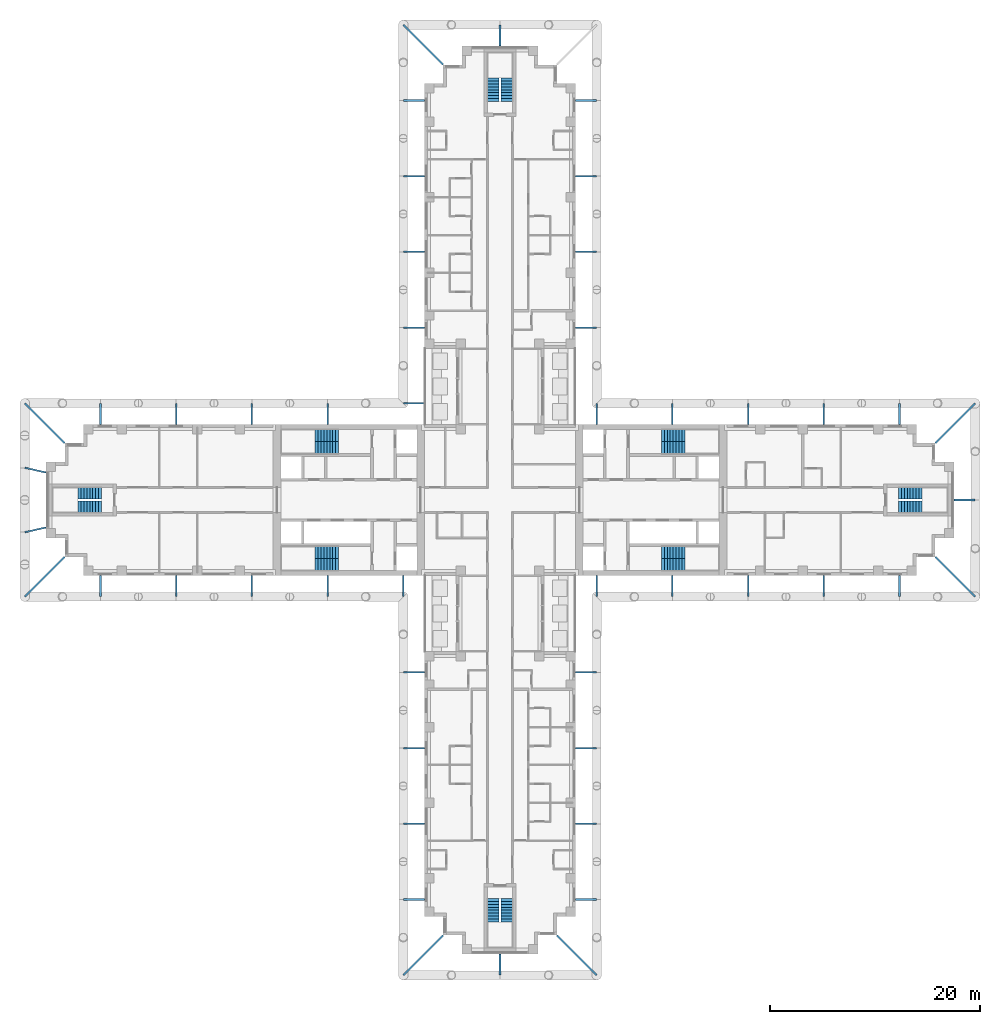
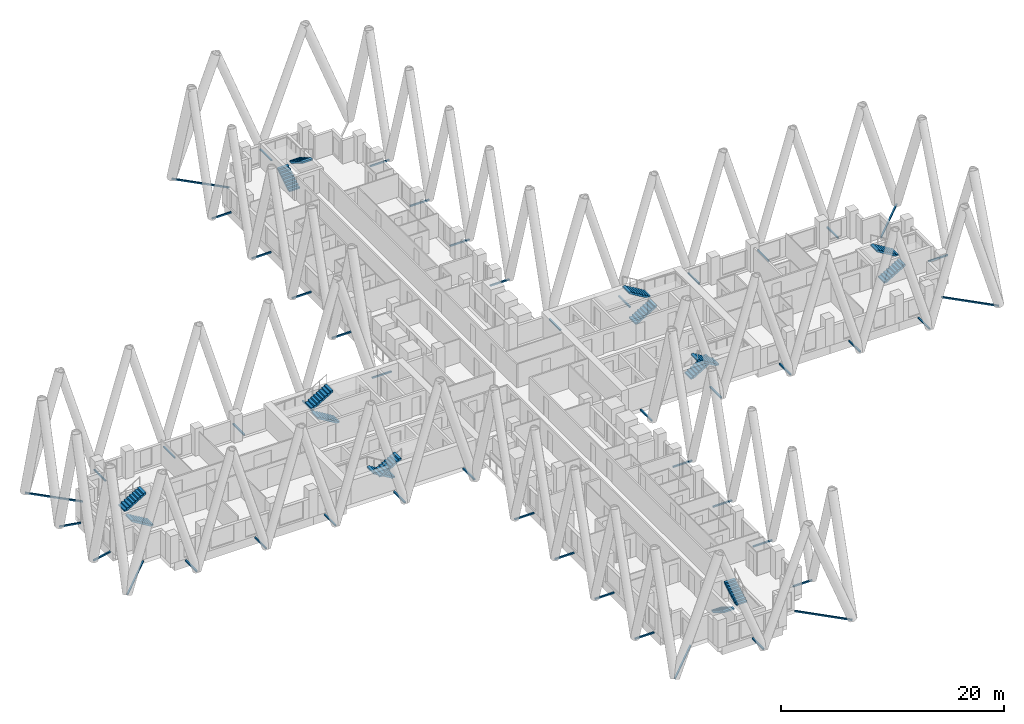
# One storey, part 14 of 17: 48 discrete accessories, 16 stair flights, 8 elements without a shape of their own.
"""IFC4 building model written with IfcOpenShell, lengths in metres."""

from ifc_helpers import new_model, si_unit, direction, frame, origin, origin_2d, place, context, subcontext, project, spatial, polyline, hollow_rectangle, outline, extrude, material, type_object, element, aggregate, save


model = new_model("IFC4")

# Units and contexts
model_context = context("Model", 3, precision=1e-05, world=origin(), true_north=direction((0.0, 1.0)))
body_context = subcontext(model_context, "Body", "Model", "MODEL_VIEW")
ifc_project = project(units=[si_unit("LENGTHUNIT", "METRE"), si_unit("AREAUNIT", "SQUARE_METRE"), si_unit("VOLUMEUNIT", "CUBIC_METRE"), si_unit("PLANEANGLEUNIT", "RADIAN"), si_unit("MASSUNIT", "GRAM", prefix="KILO")], contexts=[model_context])

# Site, building, storey
site_placement = place(None, origin())
site = spatial("IfcSite", under=ifc_project, at=site_placement, CompositionType="ELEMENT")
building_placement = place(site_placement, origin())
building = spatial("IfcBuilding", under=site, at=building_placement, Name="Fustian Cross Tower", CompositionType="ELEMENT")
storey_placement = place(building_placement, frame((0.0, 0.0, 32.699951171875)))
storey = spatial("IfcBuildingStorey", under=building, at=storey_placement, Name="L09", CompositionType="ELEMENT", Elevation=32.699951171875)

# Stair, stair flights
ifc_material_1 = material(Name="Concrete C50/60", Category="concrete")
stair_type_1 = type_object("IfcStairType", Name="STAIR 1100 HALF TURN", PredefinedType="HALF_TURN_STAIR", material=ifc_material_1)
stair_1_placement = place(storey_placement, origin())
stair_1 = element("IfcStair", 1, at=stair_1_placement, inside=storey, type_object=stair_type_1, Name="Stair ST5", PredefinedType="HALF_TURN_STAIR")
ifc_material_2 = material(Name="Concrete C50/60", Category="concrete")
stair_flight_type_1 = type_object("IfcStairFlightType", Name="STAIR FLIGHT 1100", PredefinedType="STRAIGHT", material=ifc_material_2)
stair_flight_1_placement = place(storey_placement, frame((-0.64990234375, 37.89990234375, 0.0), z_axis=(0.0, 0.0, 1.0), x_axis=(0.0, 1.0, 0.0)))
stair_flight_1 = element("IfcStairFlight", 2, at=stair_flight_1_placement, type_object=stair_flight_type_1, Name="ST5 flight 1", NumberOfRisers=9, NumberOfTreads=8, PredefinedType="STRAIGHT", RiserHeight=0.166666667, TreadLength=0.28, context=body_context, shape_type="SweptSolid", body=[
    extrude(outline(polyline([(0.0, 0.0), (0.0, 0.166748046875), (0.280029296875, 0.166748046875), (0.280029296875, 0.333251953125), (0.56005859375, 0.333251953125), (0.56005859375, 0.5), (0.840087890625, 0.5), (0.840087890625, 0.666748046875), (1.1201171875, 0.666748046875), (1.1201171875, 0.833251953125), (1.39990234375, 0.833251953125), (1.39990234375, 1.0), (1.679931640625, 1.0), (1.679931640625, 1.166748046875), (1.9599609375, 1.166748046875), (1.9599609375, 1.333251953125), (2.239990234375, 1.333251953125), (2.239990234375, 1.5), (2.239990234375, 1.158935546875), (0.29296875, 0.0), (0.0, 0.0)])), frame((0.0, 0.550048828125, 0.0), z_axis=(0.0, -1.0, 0.0), x_axis=(1.0, 0.0, 0.0)), (0.0, 0.0, 1.0), 1.10009765625),
])
stair_flight_2_placement = place(storey_placement, frame((0.64990234375, 40.139892578125, 1.5), z_axis=(0.0, 0.0, 1.0), x_axis=(0.0, -1.0, 0.0)))
stair_flight_2 = element("IfcStairFlight", 3, at=stair_flight_2_placement, type_object=stair_flight_type_1, Name="ST5 flight 2", NumberOfRisers=9, NumberOfTreads=8, PredefinedType="STRAIGHT", RiserHeight=0.166666667, TreadLength=0.28, context=body_context, shape_type="SweptSolid", body=[
    extrude(outline(polyline([(0.0, 0.0), (0.0, 0.166748046875), (0.280029296875, 0.166748046875), (0.280029296875, 0.333251953125), (0.56005859375, 0.333251953125), (0.56005859375, 0.5), (0.840087890625, 0.5), (0.840087890625, 0.666748046875), (1.1201171875, 0.666748046875), (1.1201171875, 0.833251953125), (1.39990234375, 0.833251953125), (1.39990234375, 1.0), (1.679931640625, 1.0), (1.679931640625, 1.166748046875), (1.9599609375, 1.166748046875), (1.9599609375, 1.333251953125), (2.239990234375, 1.333251953125), (2.239990234375, 1.5), (2.239990234375, 1.158935546875), (0.29296875, 0.0), (0.0, 0.0)])), frame((0.0, 0.550048828125, 0.0), z_axis=(0.0, -1.0, 0.0), x_axis=(1.0, 0.0, 0.0)), (0.0, 0.0, 1.0), 1.10009765625),
])
aggregate(stair_1, [stair_flight_1, stair_flight_2])

stair_2_placement = place(storey_placement, origin())
stair_2 = element("IfcStair", 4, at=stair_2_placement, inside=storey, type_object=stair_type_1, Name="Stair ST6", PredefinedType="HALF_TURN_STAIR")
stair_flight_3_placement = place(storey_placement, frame((-0.64990234375, -37.89990234375, 0.0), z_axis=(0.0, 0.0, 1.0), x_axis=(0.0, -1.0, 0.0)))
stair_flight_3 = element("IfcStairFlight", 5, at=stair_flight_3_placement, type_object=stair_flight_type_1, Name="ST6 flight 1", NumberOfRisers=9, NumberOfTreads=8, PredefinedType="STRAIGHT", RiserHeight=0.166666667, TreadLength=0.28, context=body_context, shape_type="SweptSolid", body=[
    extrude(outline(polyline([(0.0, 0.0), (0.0, 0.166748046875), (0.280029296875, 0.166748046875), (0.280029296875, 0.333251953125), (0.56005859375, 0.333251953125), (0.56005859375, 0.5), (0.840087890625, 0.5), (0.840087890625, 0.666748046875), (1.1201171875, 0.666748046875), (1.1201171875, 0.833251953125), (1.39990234375, 0.833251953125), (1.39990234375, 1.0), (1.679931640625, 1.0), (1.679931640625, 1.166748046875), (1.9599609375, 1.166748046875), (1.9599609375, 1.333251953125), (2.239990234375, 1.333251953125), (2.239990234375, 1.5), (2.239990234375, 1.158935546875), (0.29296875, 0.0), (0.0, 0.0)])), frame((0.0, 0.550048828125, 0.0), z_axis=(0.0, -1.0, 0.0), x_axis=(1.0, 0.0, 0.0)), (0.0, 0.0, 1.0), 1.10009765625),
])
stair_flight_4_placement = place(storey_placement, frame((0.64990234375, -40.139892578125, 1.5), z_axis=(0.0, 0.0, 1.0), x_axis=(0.0, 1.0, 0.0)))
stair_flight_4 = element("IfcStairFlight", 6, at=stair_flight_4_placement, type_object=stair_flight_type_1, Name="ST6 flight 2", NumberOfRisers=9, NumberOfTreads=8, PredefinedType="STRAIGHT", RiserHeight=0.166666667, TreadLength=0.28, context=body_context, shape_type="SweptSolid", body=[
    extrude(outline(polyline([(0.0, 0.0), (0.0, 0.166748046875), (0.280029296875, 0.166748046875), (0.280029296875, 0.333251953125), (0.56005859375, 0.333251953125), (0.56005859375, 0.5), (0.840087890625, 0.5), (0.840087890625, 0.666748046875), (1.1201171875, 0.666748046875), (1.1201171875, 0.833251953125), (1.39990234375, 0.833251953125), (1.39990234375, 1.0), (1.679931640625, 1.0), (1.679931640625, 1.166748046875), (1.9599609375, 1.166748046875), (1.9599609375, 1.333251953125), (2.239990234375, 1.333251953125), (2.239990234375, 1.5), (2.239990234375, 1.158935546875), (0.29296875, 0.0), (0.0, 0.0)])), frame((0.0, 0.550048828125, 0.0), z_axis=(0.0, -1.0, 0.0), x_axis=(1.0, 0.0, 0.0)), (0.0, 0.0, 1.0), 1.10009765625),
])
aggregate(stair_2, [stair_flight_3, stair_flight_4])

stair_3_placement = place(storey_placement, origin())
stair_3 = element("IfcStair", 7, at=stair_3_placement, inside=storey, type_object=stair_type_1, Name="Stair ST8", PredefinedType="HALF_TURN_STAIR")
stair_flight_5_placement = place(storey_placement, frame((37.89990234375, -0.64990234375, 0.0), z_axis=(0.0, 0.0, 1.0), x_axis=(1.0, 0.0, 0.0)))
stair_flight_5 = element("IfcStairFlight", 8, at=stair_flight_5_placement, type_object=stair_flight_type_1, Name="ST8 flight 1", NumberOfRisers=9, NumberOfTreads=8, PredefinedType="STRAIGHT", RiserHeight=0.166666667, TreadLength=0.28, context=body_context, shape_type="SweptSolid", body=[
    extrude(outline(polyline([(0.0, 0.0), (0.0, 0.166748046875), (0.280029296875, 0.166748046875), (0.280029296875, 0.333251953125), (0.56005859375, 0.333251953125), (0.56005859375, 0.5), (0.840087890625, 0.5), (0.840087890625, 0.666748046875), (1.1201171875, 0.666748046875), (1.1201171875, 0.833251953125), (1.39990234375, 0.833251953125), (1.39990234375, 1.0), (1.679931640625, 1.0), (1.679931640625, 1.166748046875), (1.9599609375, 1.166748046875), (1.9599609375, 1.333251953125), (2.239990234375, 1.333251953125), (2.239990234375, 1.5), (2.239990234375, 1.158935546875), (0.29296875, 0.0), (0.0, 0.0)])), frame((0.0, 0.550048828125, 0.0), z_axis=(0.0, -1.0, 0.0), x_axis=(1.0, 0.0, 0.0)), (0.0, 0.0, 1.0), 1.10009765625),
])
stair_flight_6_placement = place(storey_placement, frame((40.139892578125, 0.64990234375, 1.5), z_axis=(0.0, 0.0, 1.0), x_axis=(-1.0, 0.0, 0.0)))
stair_flight_6 = element("IfcStairFlight", 9, at=stair_flight_6_placement, type_object=stair_flight_type_1, Name="ST8 flight 2", NumberOfRisers=9, NumberOfTreads=8, PredefinedType="STRAIGHT", RiserHeight=0.166666667, TreadLength=0.28, context=body_context, shape_type="SweptSolid", body=[
    extrude(outline(polyline([(0.0, 0.0), (0.0, 0.166748046875), (0.280029296875, 0.166748046875), (0.280029296875, 0.333251953125), (0.56005859375, 0.333251953125), (0.56005859375, 0.5), (0.840087890625, 0.5), (0.840087890625, 0.666748046875), (1.1201171875, 0.666748046875), (1.1201171875, 0.833251953125), (1.39990234375, 0.833251953125), (1.39990234375, 1.0), (1.679931640625, 1.0), (1.679931640625, 1.166748046875), (1.9599609375, 1.166748046875), (1.9599609375, 1.333251953125), (2.239990234375, 1.333251953125), (2.239990234375, 1.5), (2.239990234375, 1.158935546875), (0.29296875, 0.0), (0.0, 0.0)])), frame((0.0, 0.550048828125, 0.0), z_axis=(0.0, -1.0, 0.0), x_axis=(1.0, 0.0, 0.0)), (0.0, 0.0, 1.0), 1.10009765625),
])
aggregate(stair_3, [stair_flight_5, stair_flight_6])

stair_4_placement = place(storey_placement, origin())
stair_4 = element("IfcStair", 10, at=stair_4_placement, inside=storey, type_object=stair_type_1, Name="Stair ST9", PredefinedType="HALF_TURN_STAIR")
stair_flight_7_placement = place(storey_placement, frame((-37.89990234375, -0.64990234375, 0.0), z_axis=(0.0, 0.0, 1.0), x_axis=(-1.0, 0.0, 0.0)))
stair_flight_7 = element("IfcStairFlight", 11, at=stair_flight_7_placement, type_object=stair_flight_type_1, Name="ST9 flight 1", NumberOfRisers=9, NumberOfTreads=8, PredefinedType="STRAIGHT", RiserHeight=0.166666667, TreadLength=0.28, context=body_context, shape_type="SweptSolid", body=[
    extrude(outline(polyline([(0.0, 0.0), (0.0, 0.166748046875), (0.280029296875, 0.166748046875), (0.280029296875, 0.333251953125), (0.56005859375, 0.333251953125), (0.56005859375, 0.5), (0.840087890625, 0.5), (0.840087890625, 0.666748046875), (1.1201171875, 0.666748046875), (1.1201171875, 0.833251953125), (1.39990234375, 0.833251953125), (1.39990234375, 1.0), (1.679931640625, 1.0), (1.679931640625, 1.166748046875), (1.9599609375, 1.166748046875), (1.9599609375, 1.333251953125), (2.239990234375, 1.333251953125), (2.239990234375, 1.5), (2.239990234375, 1.158935546875), (0.29296875, 0.0), (0.0, 0.0)])), frame((0.0, 0.550048828125, 0.0), z_axis=(0.0, -1.0, 0.0), x_axis=(1.0, 0.0, 0.0)), (0.0, 0.0, 1.0), 1.10009765625),
])
stair_flight_8_placement = place(storey_placement, frame((-40.139892578125, 0.64990234375, 1.5), z_axis=(0.0, 0.0, 1.0), x_axis=(1.0, 0.0, 0.0)))
stair_flight_8 = element("IfcStairFlight", 12, at=stair_flight_8_placement, type_object=stair_flight_type_1, Name="ST9 flight 2", NumberOfRisers=9, NumberOfTreads=8, PredefinedType="STRAIGHT", RiserHeight=0.166666667, TreadLength=0.28, context=body_context, shape_type="SweptSolid", body=[
    extrude(outline(polyline([(0.0, 0.0), (0.0, 0.166748046875), (0.280029296875, 0.166748046875), (0.280029296875, 0.333251953125), (0.56005859375, 0.333251953125), (0.56005859375, 0.5), (0.840087890625, 0.5), (0.840087890625, 0.666748046875), (1.1201171875, 0.666748046875), (1.1201171875, 0.833251953125), (1.39990234375, 0.833251953125), (1.39990234375, 1.0), (1.679931640625, 1.0), (1.679931640625, 1.166748046875), (1.9599609375, 1.166748046875), (1.9599609375, 1.333251953125), (2.239990234375, 1.333251953125), (2.239990234375, 1.5), (2.239990234375, 1.158935546875), (0.29296875, 0.0), (0.0, 0.0)])), frame((0.0, 0.550048828125, 0.0), z_axis=(0.0, -1.0, 0.0), x_axis=(1.0, 0.0, 0.0)), (0.0, 0.0, 1.0), 1.10009765625),
])
aggregate(stair_4, [stair_flight_7, stair_flight_8])

ifc_material_3 = material(Name="Concrete C50/60", Category="concrete")
stair_type_2 = type_object("IfcStairType", Name="STAIR 1150 HALF TURN", PredefinedType="HALF_TURN_STAIR", material=ifc_material_3)
stair_5_placement = place(storey_placement, origin())
stair_5 = element("IfcStair", 13, at=stair_5_placement, inside=storey, type_object=stair_type_2, Name="Stair ST1", PredefinedType="HALF_TURN_STAIR")
ifc_material_4 = material(Name="Concrete C50/60", Category="concrete")
stair_flight_type_2 = type_object("IfcStairFlightType", Name="STAIR FLIGHT 1150", PredefinedType="STRAIGHT", material=ifc_material_4)
stair_flight_9_placement = place(storey_placement, frame((15.35009765625, 4.97509765625, 0.0), z_axis=(0.0, 0.0, 1.0), x_axis=(1.0, 0.0, 0.0)))
stair_flight_9 = element("IfcStairFlight", 14, at=stair_flight_9_placement, type_object=stair_flight_type_2, Name="ST1 flight 1", NumberOfRisers=9, NumberOfTreads=8, PredefinedType="STRAIGHT", RiserHeight=0.166666667, TreadLength=0.28, context=body_context, shape_type="SweptSolid", body=[
    extrude(outline(polyline([(0.0, 0.0), (0.0, 0.166748046875), (0.280029296875, 0.166748046875), (0.280029296875, 0.333251953125), (0.56005859375, 0.333251953125), (0.56005859375, 0.5), (0.840087890625, 0.5), (0.840087890625, 0.666748046875), (1.1201171875, 0.666748046875), (1.1201171875, 0.833251953125), (1.39990234375, 0.833251953125), (1.39990234375, 1.0), (1.679931640625, 1.0), (1.679931640625, 1.166748046875), (1.9599609375, 1.166748046875), (1.9599609375, 1.333251953125), (2.239990234375, 1.333251953125), (2.239990234375, 1.5), (2.239990234375, 1.158935546875), (0.29296875, 0.0), (0.0, 0.0)])), frame((0.0, 0.574951171875, 0.0), z_axis=(0.0, -1.0, 0.0), x_axis=(1.0, 0.0, 0.0)), (0.0, 0.0, 1.0), 1.14990234375),
])
stair_flight_10_placement = place(storey_placement, frame((17.590087890625, 6.125, 1.5), z_axis=(0.0, 0.0, 1.0), x_axis=(-1.0, 0.0, 0.0)))
stair_flight_10 = element("IfcStairFlight", 15, at=stair_flight_10_placement, type_object=stair_flight_type_2, Name="ST1 flight 2", NumberOfRisers=9, NumberOfTreads=8, PredefinedType="STRAIGHT", RiserHeight=0.166666667, TreadLength=0.28, context=body_context, shape_type="SweptSolid", body=[
    extrude(outline(polyline([(0.0, 0.0), (0.0, 0.166748046875), (0.280029296875, 0.166748046875), (0.280029296875, 0.333251953125), (0.56005859375, 0.333251953125), (0.56005859375, 0.5), (0.840087890625, 0.5), (0.840087890625, 0.666748046875), (1.1201171875, 0.666748046875), (1.1201171875, 0.833251953125), (1.39990234375, 0.833251953125), (1.39990234375, 1.0), (1.679931640625, 1.0), (1.679931640625, 1.166748046875), (1.9599609375, 1.166748046875), (1.9599609375, 1.333251953125), (2.239990234375, 1.333251953125), (2.239990234375, 1.5), (2.239990234375, 1.158935546875), (0.29296875, 0.0), (0.0, 0.0)])), frame((0.0, 0.574951171875, 0.0), z_axis=(0.0, -1.0, 0.0), x_axis=(1.0, 0.0, 0.0)), (0.0, 0.0, 1.0), 1.14990234375),
])
aggregate(stair_5, [stair_flight_9, stair_flight_10])

stair_6_placement = place(storey_placement, origin())
stair_6 = element("IfcStair", 16, at=stair_6_placement, inside=storey, type_object=stair_type_2, Name="Stair ST2", PredefinedType="HALF_TURN_STAIR")
stair_flight_11_placement = place(storey_placement, frame((15.35009765625, -4.97509765625, 0.0), z_axis=(0.0, 0.0, 1.0), x_axis=(1.0, 0.0, 0.0)))
stair_flight_11 = element("IfcStairFlight", 17, at=stair_flight_11_placement, type_object=stair_flight_type_2, Name="ST2 flight 1", NumberOfRisers=9, NumberOfTreads=8, PredefinedType="STRAIGHT", RiserHeight=0.166666667, TreadLength=0.28, context=body_context, shape_type="SweptSolid", body=[
    extrude(outline(polyline([(0.0, 0.0), (0.0, 0.166748046875), (0.280029296875, 0.166748046875), (0.280029296875, 0.333251953125), (0.56005859375, 0.333251953125), (0.56005859375, 0.5), (0.840087890625, 0.5), (0.840087890625, 0.666748046875), (1.1201171875, 0.666748046875), (1.1201171875, 0.833251953125), (1.39990234375, 0.833251953125), (1.39990234375, 1.0), (1.679931640625, 1.0), (1.679931640625, 1.166748046875), (1.9599609375, 1.166748046875), (1.9599609375, 1.333251953125), (2.239990234375, 1.333251953125), (2.239990234375, 1.5), (2.239990234375, 1.158935546875), (0.29296875, 0.0), (0.0, 0.0)])), frame((0.0, 0.574951171875, 0.0), z_axis=(0.0, -1.0, 0.0), x_axis=(1.0, 0.0, 0.0)), (0.0, 0.0, 1.0), 1.14990234375),
])
stair_flight_12_placement = place(storey_placement, frame((17.590087890625, -6.125, 1.5), z_axis=(0.0, 0.0, 1.0), x_axis=(-1.0, 0.0, 0.0)))
stair_flight_12 = element("IfcStairFlight", 18, at=stair_flight_12_placement, type_object=stair_flight_type_2, Name="ST2 flight 2", NumberOfRisers=9, NumberOfTreads=8, PredefinedType="STRAIGHT", RiserHeight=0.166666667, TreadLength=0.28, context=body_context, shape_type="SweptSolid", body=[
    extrude(outline(polyline([(0.0, 0.0), (0.0, 0.166748046875), (0.280029296875, 0.166748046875), (0.280029296875, 0.333251953125), (0.56005859375, 0.333251953125), (0.56005859375, 0.5), (0.840087890625, 0.5), (0.840087890625, 0.666748046875), (1.1201171875, 0.666748046875), (1.1201171875, 0.833251953125), (1.39990234375, 0.833251953125), (1.39990234375, 1.0), (1.679931640625, 1.0), (1.679931640625, 1.166748046875), (1.9599609375, 1.166748046875), (1.9599609375, 1.333251953125), (2.239990234375, 1.333251953125), (2.239990234375, 1.5), (2.239990234375, 1.158935546875), (0.29296875, 0.0), (0.0, 0.0)])), frame((0.0, 0.574951171875, 0.0), z_axis=(0.0, -1.0, 0.0), x_axis=(1.0, 0.0, 0.0)), (0.0, 0.0, 1.0), 1.14990234375),
])
aggregate(stair_6, [stair_flight_11, stair_flight_12])

stair_7_placement = place(storey_placement, origin())
stair_7 = element("IfcStair", 19, at=stair_7_placement, inside=storey, type_object=stair_type_2, Name="Stair ST3", PredefinedType="HALF_TURN_STAIR")
stair_flight_13_placement = place(storey_placement, frame((-15.35009765625, 4.97509765625, 0.0), z_axis=(0.0, 0.0, 1.0), x_axis=(-1.0, 0.0, 0.0)))
stair_flight_13 = element("IfcStairFlight", 20, at=stair_flight_13_placement, type_object=stair_flight_type_2, Name="ST3 flight 1", NumberOfRisers=9, NumberOfTreads=8, PredefinedType="STRAIGHT", RiserHeight=0.166666667, TreadLength=0.28, context=body_context, shape_type="SweptSolid", body=[
    extrude(outline(polyline([(0.0, 0.0), (0.0, 0.166748046875), (0.280029296875, 0.166748046875), (0.280029296875, 0.333251953125), (0.56005859375, 0.333251953125), (0.56005859375, 0.5), (0.840087890625, 0.5), (0.840087890625, 0.666748046875), (1.1201171875, 0.666748046875), (1.1201171875, 0.833251953125), (1.39990234375, 0.833251953125), (1.39990234375, 1.0), (1.679931640625, 1.0), (1.679931640625, 1.166748046875), (1.9599609375, 1.166748046875), (1.9599609375, 1.333251953125), (2.239990234375, 1.333251953125), (2.239990234375, 1.5), (2.239990234375, 1.158935546875), (0.29296875, 0.0), (0.0, 0.0)])), frame((0.0, 0.574951171875, 0.0), z_axis=(0.0, -1.0, 0.0), x_axis=(1.0, 0.0, 0.0)), (0.0, 0.0, 1.0), 1.14990234375),
])
stair_flight_14_placement = place(storey_placement, frame((-17.590087890625, 6.125, 1.5), z_axis=(0.0, 0.0, 1.0), x_axis=(1.0, 0.0, 0.0)))
stair_flight_14 = element("IfcStairFlight", 21, at=stair_flight_14_placement, type_object=stair_flight_type_2, Name="ST3 flight 2", NumberOfRisers=9, NumberOfTreads=8, PredefinedType="STRAIGHT", RiserHeight=0.166666667, TreadLength=0.28, context=body_context, shape_type="SweptSolid", body=[
    extrude(outline(polyline([(0.0, 0.0), (0.0, 0.166748046875), (0.280029296875, 0.166748046875), (0.280029296875, 0.333251953125), (0.56005859375, 0.333251953125), (0.56005859375, 0.5), (0.840087890625, 0.5), (0.840087890625, 0.666748046875), (1.1201171875, 0.666748046875), (1.1201171875, 0.833251953125), (1.39990234375, 0.833251953125), (1.39990234375, 1.0), (1.679931640625, 1.0), (1.679931640625, 1.166748046875), (1.9599609375, 1.166748046875), (1.9599609375, 1.333251953125), (2.239990234375, 1.333251953125), (2.239990234375, 1.5), (2.239990234375, 1.158935546875), (0.29296875, 0.0), (0.0, 0.0)])), frame((0.0, 0.574951171875, 0.0), z_axis=(0.0, -1.0, 0.0), x_axis=(1.0, 0.0, 0.0)), (0.0, 0.0, 1.0), 1.14990234375),
])
aggregate(stair_7, [stair_flight_13, stair_flight_14])

stair_8_placement = place(storey_placement, origin())
stair_8 = element("IfcStair", 22, at=stair_8_placement, inside=storey, type_object=stair_type_2, Name="Stair ST4", PredefinedType="HALF_TURN_STAIR")
stair_flight_15_placement = place(storey_placement, frame((-15.35009765625, -4.97509765625, 0.0), z_axis=(0.0, 0.0, 1.0), x_axis=(-1.0, 0.0, 0.0)))
stair_flight_15 = element("IfcStairFlight", 23, at=stair_flight_15_placement, type_object=stair_flight_type_2, Name="ST4 flight 1", NumberOfRisers=9, NumberOfTreads=8, PredefinedType="STRAIGHT", RiserHeight=0.166666667, TreadLength=0.28, context=body_context, shape_type="SweptSolid", body=[
    extrude(outline(polyline([(0.0, 0.0), (0.0, 0.166748046875), (0.280029296875, 0.166748046875), (0.280029296875, 0.333251953125), (0.56005859375, 0.333251953125), (0.56005859375, 0.5), (0.840087890625, 0.5), (0.840087890625, 0.666748046875), (1.1201171875, 0.666748046875), (1.1201171875, 0.833251953125), (1.39990234375, 0.833251953125), (1.39990234375, 1.0), (1.679931640625, 1.0), (1.679931640625, 1.166748046875), (1.9599609375, 1.166748046875), (1.9599609375, 1.333251953125), (2.239990234375, 1.333251953125), (2.239990234375, 1.5), (2.239990234375, 1.158935546875), (0.29296875, 0.0), (0.0, 0.0)])), frame((0.0, 0.574951171875, 0.0), z_axis=(0.0, -1.0, 0.0), x_axis=(1.0, 0.0, 0.0)), (0.0, 0.0, 1.0), 1.14990234375),
])
stair_flight_16_placement = place(storey_placement, frame((-17.590087890625, -6.125, 1.5), z_axis=(0.0, 0.0, 1.0), x_axis=(1.0, 0.0, 0.0)))
stair_flight_16 = element("IfcStairFlight", 24, at=stair_flight_16_placement, type_object=stair_flight_type_2, Name="ST4 flight 2", NumberOfRisers=9, NumberOfTreads=8, PredefinedType="STRAIGHT", RiserHeight=0.166666667, TreadLength=0.28, context=body_context, shape_type="SweptSolid", body=[
    extrude(outline(polyline([(0.0, 0.0), (0.0, 0.166748046875), (0.280029296875, 0.166748046875), (0.280029296875, 0.333251953125), (0.56005859375, 0.333251953125), (0.56005859375, 0.5), (0.840087890625, 0.5), (0.840087890625, 0.666748046875), (1.1201171875, 0.666748046875), (1.1201171875, 0.833251953125), (1.39990234375, 0.833251953125), (1.39990234375, 1.0), (1.679931640625, 1.0), (1.679931640625, 1.166748046875), (1.9599609375, 1.166748046875), (1.9599609375, 1.333251953125), (2.239990234375, 1.333251953125), (2.239990234375, 1.5), (2.239990234375, 1.158935546875), (0.29296875, 0.0), (0.0, 0.0)])), frame((0.0, 0.574951171875, 0.0), z_axis=(0.0, -1.0, 0.0), x_axis=(1.0, 0.0, 0.0)), (0.0, 0.0, 1.0), 1.14990234375),
])
aggregate(stair_8, [stair_flight_15, stair_flight_16])

# Discrete accessories
ifc_material_5 = material(Name="Steel S355", Category="steel")
discrete_accessory_1_placement = place(storey_placement, frame((45.199951171875, 0.0, -0.14990234375), z_axis=(-1.0, 0.0, 0.0), x_axis=(0.0, -1.0, 0.0)))
element("IfcDiscreteAccessory", 25, at=discrete_accessory_1_placement, inside=storey, material=ifc_material_5, Name="Diagrid node bracket L09-01", PredefinedType="BRACKET", context=body_context, shape_type="SweptSolid", body=[
    extrude(hollow_rectangle(XDim=0.14990234375, YDim=0.14990234375, WallThickness=0.010009765625, at=origin_2d()), origin(), (0.0, 0.0, 1.0), 2.0),
])
discrete_accessory_2_placement = place(storey_placement, frame((45.199951171875, 9.199951171875, -0.14990234375), z_axis=(-0.707106781187, -0.707106781187, 0.0), x_axis=(0.707106781187, -0.707106781187, 0.0)))
element("IfcDiscreteAccessory", 26, at=discrete_accessory_2_placement, inside=storey, material=ifc_material_5, Name="Diagrid node bracket L09-02", PredefinedType="BRACKET", context=body_context, shape_type="SweptSolid", body=[
    extrude(hollow_rectangle(XDim=0.14990234375, YDim=0.14990234375, WallThickness=0.010009765625, at=origin_2d()), origin(), (0.0, 0.0, 1.0), 5.3740234375),
])
for number, where, z_axis, x_axis, name in (
    (27, (38.0, 9.199951171875, -0.14990234375), (0.0, -1.0, 0.0), (1.0, 0.0, 0.0), "Diagrid node bracket L09-03"),
    (28, (30.800048828125, 9.199951171875, -0.14990234375), (0.0, -1.0, 0.0), (1.0, 0.0, 0.0), "Diagrid node bracket L09-04"),
    (29, (23.60009765625, 9.199951171875, -0.14990234375), (0.0, -1.0, 0.0), (1.0, 0.0, 0.0), "Diagrid node bracket L09-05"),
    (30, (16.39990234375, 9.199951171875, -0.14990234375), (0.0, -1.0, 0.0), (1.0, 0.0, 0.0), "Diagrid node bracket L09-06"),
    (31, (9.199951171875, 9.199951171875, -0.14990234375), (0.0, -1.0, 0.0), (1.0, 0.0, 0.0), "Diagrid node bracket L09-07"),
    (32, (9.199951171875, 16.39990234375, -0.14990234375), (-1.0, 0.0, 0.0), (0.0, -1.0, 0.0), "Diagrid node bracket L09-08"),
    (33, (9.199951171875, 23.60009765625, -0.14990234375), (-1.0, 0.0, 0.0), (0.0, -1.0, 0.0), "Diagrid node bracket L09-09"),
    (34, (9.199951171875, 30.800048828125, -0.14990234375), (-1.0, 0.0, 0.0), (0.0, -1.0, 0.0), "Diagrid node bracket L09-10"),
    (35, (9.199951171875, 38.0, -0.14990234375), (-1.0, 0.0, 0.0), (0.0, -1.0, 0.0), "Diagrid node bracket L09-11"),
    (36, (0.0, 45.199951171875, -0.14990234375), (0.0, -1.0, 0.0), (1.0, 0.0, 0.0), "Diagrid node bracket L09-13"),
):
    element("IfcDiscreteAccessory", number, at=place(storey_placement, frame(where, z_axis=z_axis, x_axis=x_axis)), inside=storey, material=ifc_material_5, Name=name, PredefinedType="BRACKET", context=body_context, shape_type="SweptSolid", body=[
        extrude(hollow_rectangle(XDim=0.14990234375, YDim=0.14990234375, WallThickness=0.010009765625, at=origin_2d()), origin(), (0.0, 0.0, 1.0), 2.0),
    ])
discrete_accessory_3_placement = place(storey_placement, frame((-9.199951171875, 45.199951171875, -0.14990234375), z_axis=(0.707106781187, -0.707106781187, 0.0), x_axis=(0.707106781187, 0.707106781187, 0.0)))
element("IfcDiscreteAccessory", 37, at=discrete_accessory_3_placement, inside=storey, material=ifc_material_5, Name="Diagrid node bracket L09-14", PredefinedType="BRACKET", context=body_context, shape_type="SweptSolid", body=[
    extrude(hollow_rectangle(XDim=0.14990234375, YDim=0.14990234375, WallThickness=0.010009765625, at=origin_2d()), origin(), (0.0, 0.0, 1.0), 5.3740234375),
])
for number, where, z_axis, x_axis, name in (
    (38, (-9.199951171875, 38.0, -0.14990234375), (1.0, 0.0, 0.0), (0.0, 1.0, 0.0), "Diagrid node bracket L09-15"),
    (39, (-9.199951171875, 30.800048828125, -0.14990234375), (1.0, 0.0, 0.0), (0.0, 1.0, 0.0), "Diagrid node bracket L09-16"),
    (40, (-9.199951171875, 23.60009765625, -0.14990234375), (1.0, 0.0, 0.0), (0.0, 1.0, 0.0), "Diagrid node bracket L09-17"),
    (41, (-9.199951171875, 16.39990234375, -0.14990234375), (1.0, 0.0, 0.0), (0.0, 1.0, 0.0), "Diagrid node bracket L09-18"),
    (42, (-9.199951171875, 9.199951171875, -0.14990234375), (1.0, 0.0, 0.0), (0.0, 1.0, 0.0), "Diagrid node bracket L09-19"),
    (43, (-16.39990234375, 9.199951171875, -0.14990234375), (0.0, -1.0, 0.0), (1.0, 0.0, 0.0), "Diagrid node bracket L09-20"),
    (44, (-23.60009765625, 9.199951171875, -0.14990234375), (0.0, -1.0, 0.0), (1.0, 0.0, 0.0), "Diagrid node bracket L09-21"),
    (45, (-30.800048828125, 9.199951171875, -0.14990234375), (0.0, -1.0, 0.0), (1.0, 0.0, 0.0), "Diagrid node bracket L09-22"),
    (46, (-38.0, 9.199951171875, -0.14990234375), (0.0, -1.0, 0.0), (1.0, 0.0, 0.0), "Diagrid node bracket L09-23"),
):
    element("IfcDiscreteAccessory", number, at=place(storey_placement, frame(where, z_axis=z_axis, x_axis=x_axis)), inside=storey, material=ifc_material_5, Name=name, PredefinedType="BRACKET", context=body_context, shape_type="SweptSolid", body=[
        extrude(hollow_rectangle(XDim=0.14990234375, YDim=0.14990234375, WallThickness=0.010009765625, at=origin_2d()), origin(), (0.0, 0.0, 1.0), 2.0),
    ])
discrete_accessory_4_placement = place(storey_placement, frame((-45.199951171875, 9.199951171875, -0.14990234375), z_axis=(0.707106781187, -0.707106781187, 0.0), x_axis=(0.707106781187, 0.707106781187, 0.0)))
element("IfcDiscreteAccessory", 47, at=discrete_accessory_4_placement, inside=storey, material=ifc_material_5, Name="Diagrid node bracket L09-24", PredefinedType="BRACKET", context=body_context, shape_type="SweptSolid", body=[
    extrude(hollow_rectangle(XDim=0.14990234375, YDim=0.14990234375, WallThickness=0.010009765625, at=origin_2d()), origin(), (0.0, 0.0, 1.0), 5.3740234375),
])
for number, where, z_axis, x_axis, name in (
    (48, (-45.199951171875, 3.066650390625, -0.14990234375), (0.97561485681, -0.21948952406, 0.0), (0.21948952406, 0.97561485681, 0.0), "Diagrid node bracket L09-25"),
    (49, (-45.199951171875, -3.066650390625, -0.14990234375), (0.97561485681, 0.21948952406, 0.0), (-0.21948952406, 0.97561485681, 0.0), "Diagrid node bracket L09-26"),
):
    element("IfcDiscreteAccessory", number, at=place(storey_placement, frame(where, z_axis=z_axis, x_axis=x_axis)), inside=storey, material=ifc_material_5, Name=name, PredefinedType="BRACKET", context=body_context, shape_type="SweptSolid", body=[
        extrude(hollow_rectangle(XDim=0.14990234375, YDim=0.14990234375, WallThickness=0.010009765625, at=origin_2d()), origin(), (0.0, 0.0, 1.0), 2.050048828125),
    ])
discrete_accessory_5_placement = place(storey_placement, frame((-45.199951171875, -9.199951171875, -0.14990234375), z_axis=(0.707106781187, 0.707106781187, 0.0), x_axis=(-0.707106781187, 0.707106781187, 0.0)))
element("IfcDiscreteAccessory", 50, at=discrete_accessory_5_placement, inside=storey, material=ifc_material_5, Name="Diagrid node bracket L09-27", PredefinedType="BRACKET", context=body_context, shape_type="SweptSolid", body=[
    extrude(hollow_rectangle(XDim=0.14990234375, YDim=0.14990234375, WallThickness=0.010009765625, at=origin_2d()), origin(), (0.0, 0.0, 1.0), 5.3740234375),
])
for number, where, z_axis, x_axis, name in (
    (51, (-38.0, -9.199951171875, -0.14990234375), (0.0, 1.0, 0.0), (-1.0, 0.0, 0.0), "Diagrid node bracket L09-28"),
    (52, (-30.800048828125, -9.199951171875, -0.14990234375), (0.0, 1.0, 0.0), (-1.0, 0.0, 0.0), "Diagrid node bracket L09-29"),
    (53, (-23.60009765625, -9.199951171875, -0.14990234375), (0.0, 1.0, 0.0), (-1.0, 0.0, 0.0), "Diagrid node bracket L09-30"),
    (54, (-16.39990234375, -9.199951171875, -0.14990234375), (0.0, 1.0, 0.0), (-1.0, 0.0, 0.0), "Diagrid node bracket L09-31"),
    (55, (-9.199951171875, -9.199951171875, -0.14990234375), (0.0, 1.0, 0.0), (-1.0, 0.0, 0.0), "Diagrid node bracket L09-32"),
    (56, (-9.199951171875, -16.39990234375, -0.14990234375), (1.0, 0.0, 0.0), (0.0, 1.0, 0.0), "Diagrid node bracket L09-33"),
    (57, (-9.199951171875, -23.60009765625, -0.14990234375), (1.0, 0.0, 0.0), (0.0, 1.0, 0.0), "Diagrid node bracket L09-34"),
    (58, (-9.199951171875, -30.800048828125, -0.14990234375), (1.0, 0.0, 0.0), (0.0, 1.0, 0.0), "Diagrid node bracket L09-35"),
    (59, (-9.199951171875, -38.0, -0.14990234375), (1.0, 0.0, 0.0), (0.0, 1.0, 0.0), "Diagrid node bracket L09-36"),
):
    element("IfcDiscreteAccessory", number, at=place(storey_placement, frame(where, z_axis=z_axis, x_axis=x_axis)), inside=storey, material=ifc_material_5, Name=name, PredefinedType="BRACKET", context=body_context, shape_type="SweptSolid", body=[
        extrude(hollow_rectangle(XDim=0.14990234375, YDim=0.14990234375, WallThickness=0.010009765625, at=origin_2d()), origin(), (0.0, 0.0, 1.0), 2.0),
    ])
discrete_accessory_6_placement = place(storey_placement, frame((-9.199951171875, -45.199951171875, -0.14990234375), z_axis=(0.707106781187, 0.707106781187, 0.0), x_axis=(-0.707106781187, 0.707106781187, 0.0)))
element("IfcDiscreteAccessory", 60, at=discrete_accessory_6_placement, inside=storey, material=ifc_material_5, Name="Diagrid node bracket L09-37", PredefinedType="BRACKET", context=body_context, shape_type="SweptSolid", body=[
    extrude(hollow_rectangle(XDim=0.14990234375, YDim=0.14990234375, WallThickness=0.010009765625, at=origin_2d()), origin(), (0.0, 0.0, 1.0), 5.3740234375),
])
discrete_accessory_7_placement = place(storey_placement, frame((0.0, -45.199951171875, -0.14990234375), z_axis=(0.0, 1.0, 0.0), x_axis=(-1.0, 0.0, 0.0)))
element("IfcDiscreteAccessory", 61, at=discrete_accessory_7_placement, inside=storey, material=ifc_material_5, Name="Diagrid node bracket L09-38", PredefinedType="BRACKET", context=body_context, shape_type="SweptSolid", body=[
    extrude(hollow_rectangle(XDim=0.14990234375, YDim=0.14990234375, WallThickness=0.010009765625, at=origin_2d()), origin(), (0.0, 0.0, 1.0), 2.0),
])
discrete_accessory_8_placement = place(storey_placement, frame((9.199951171875, -45.199951171875, -0.14990234375), z_axis=(-0.707106781187, 0.707106781187, 0.0), x_axis=(-0.707106781187, -0.707106781187, 0.0)))
element("IfcDiscreteAccessory", 62, at=discrete_accessory_8_placement, inside=storey, material=ifc_material_5, Name="Diagrid node bracket L09-39", PredefinedType="BRACKET", context=body_context, shape_type="SweptSolid", body=[
    extrude(hollow_rectangle(XDim=0.14990234375, YDim=0.14990234375, WallThickness=0.010009765625, at=origin_2d()), origin(), (0.0, 0.0, 1.0), 5.3740234375),
])
for number, where, z_axis, x_axis, name in (
    (63, (9.199951171875, -38.0, -0.14990234375), (-1.0, 0.0, 0.0), (0.0, -1.0, 0.0), "Diagrid node bracket L09-40"),
    (64, (9.199951171875, -30.800048828125, -0.14990234375), (-1.0, 0.0, 0.0), (0.0, -1.0, 0.0), "Diagrid node bracket L09-41"),
    (65, (9.199951171875, -23.60009765625, -0.14990234375), (-1.0, 0.0, 0.0), (0.0, -1.0, 0.0), "Diagrid node bracket L09-42"),
    (66, (9.199951171875, -16.39990234375, -0.14990234375), (-1.0, 0.0, 0.0), (0.0, -1.0, 0.0), "Diagrid node bracket L09-43"),
    (67, (9.199951171875, -9.199951171875, -0.14990234375), (0.0, 1.0, 0.0), (-1.0, 0.0, 0.0), "Diagrid node bracket L09-44"),
    (68, (16.39990234375, -9.199951171875, -0.14990234375), (0.0, 1.0, 0.0), (-1.0, 0.0, 0.0), "Diagrid node bracket L09-45"),
    (69, (23.60009765625, -9.199951171875, -0.14990234375), (0.0, 1.0, 0.0), (-1.0, 0.0, 0.0), "Diagrid node bracket L09-46"),
    (70, (30.800048828125, -9.199951171875, -0.14990234375), (0.0, 1.0, 0.0), (-1.0, 0.0, 0.0), "Diagrid node bracket L09-47"),
    (71, (38.0, -9.199951171875, -0.14990234375), (0.0, 1.0, 0.0), (-1.0, 0.0, 0.0), "Diagrid node bracket L09-48"),
):
    element("IfcDiscreteAccessory", number, at=place(storey_placement, frame(where, z_axis=z_axis, x_axis=x_axis)), inside=storey, material=ifc_material_5, Name=name, PredefinedType="BRACKET", context=body_context, shape_type="SweptSolid", body=[
        extrude(hollow_rectangle(XDim=0.14990234375, YDim=0.14990234375, WallThickness=0.010009765625, at=origin_2d()), origin(), (0.0, 0.0, 1.0), 2.0),
    ])
discrete_accessory_9_placement = place(storey_placement, frame((45.199951171875, -9.199951171875, -0.14990234375), z_axis=(-0.707106781187, 0.707106781187, 0.0), x_axis=(-0.707106781187, -0.707106781187, 0.0)))
element("IfcDiscreteAccessory", 72, at=discrete_accessory_9_placement, inside=storey, material=ifc_material_5, Name="Diagrid node bracket L09-49", PredefinedType="BRACKET", context=body_context, shape_type="SweptSolid", body=[
    extrude(hollow_rectangle(XDim=0.14990234375, YDim=0.14990234375, WallThickness=0.010009765625, at=origin_2d()), origin(), (0.0, 0.0, 1.0), 5.3740234375),
])

save(model, "model.ifc")
